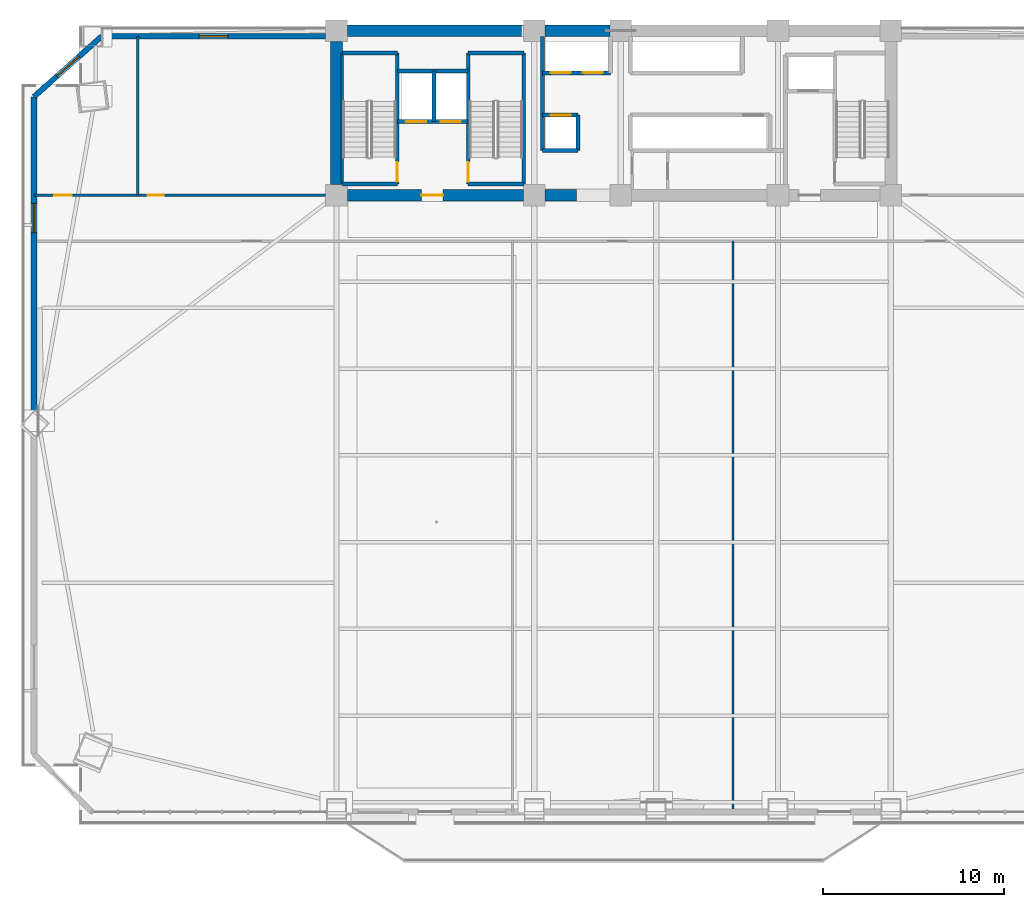
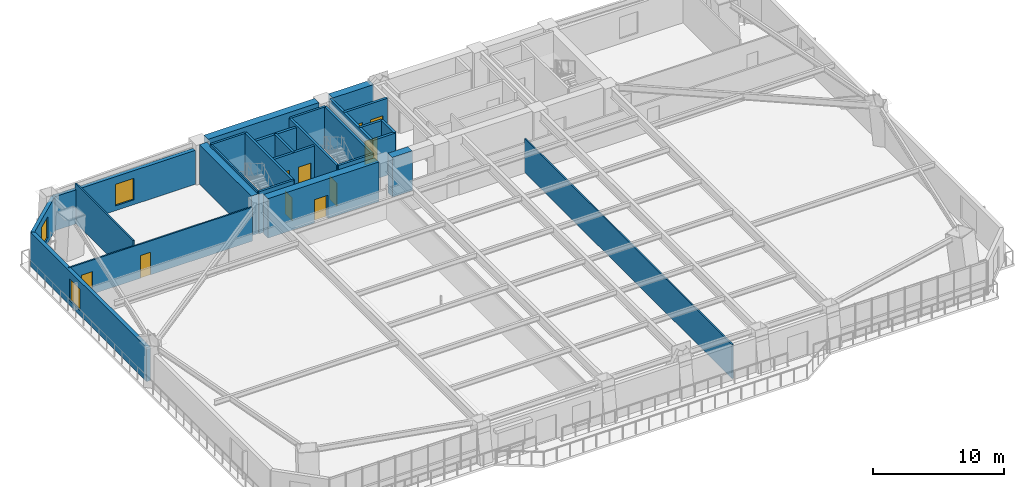
# One storey, part 9 of 17: 27 walls, 10 doors, 3 windows, 13 openings.
"""IFC4 building model written with IfcOpenShell, lengths in metres."""

from ifc_helpers import new_model, si_unit, direction, frame, frame_2d, origin, place, context, subcontext, project, spatial, rectangle, extrude, source, transform, mapped, material, layer, layer_set, type_object, element, fill, save


model = new_model("IFC4")

# Units and contexts
model_context = context("Model", 3, precision=1e-05, world=origin(), true_north=direction((0.0, 1.0)))
body_context = subcontext(model_context, "Body", "Model", "MODEL_VIEW")
ifc_project = project(units=[si_unit("LENGTHUNIT", "METRE"), si_unit("AREAUNIT", "SQUARE_METRE"), si_unit("VOLUMEUNIT", "CUBIC_METRE"), si_unit("PLANEANGLEUNIT", "RADIAN"), si_unit("MASSUNIT", "GRAM", prefix="KILO")], contexts=[model_context])

# Site, building, storey
site_placement = place(None, origin())
site = spatial("IfcSite", under=ifc_project, at=site_placement, CompositionType="ELEMENT")
building_placement = place(site_placement, origin())
building = spatial("IfcBuilding", under=site, at=building_placement, Name="Giltprow Tower", CompositionType="ELEMENT")
storey_placement = place(building_placement, frame((0.0, 0.0, 33.199951171875)))
storey = spatial("IfcBuildingStorey", under=building, at=storey_placement, Name="L08", CompositionType="ELEMENT", Elevation=33.199951171875)

# Wall, opening, window
ifc_material_1 = material(Name="Precast concrete C40", Category="concrete")
ifc_layer_1 = layer(ifc_material_1, 0.300048828125, Name="Precast concrete C40")
ifc_layer_set_1 = layer_set([ifc_layer_1], Name="Precast concrete C40")
wall_type_1 = type_object("IfcWallType", Name="EW-NOTCH-CHAMFER-300", PredefinedType="SOLIDWALL", material=ifc_layer_set_1)
wall_1_placement = place(storey_placement, frame((6.85009765625, 46.25, 0.0), z_axis=(0.0, 0.0, 1.0), x_axis=(-0.745751558502, -0.666224146209, 0.0)))
wall_1 = element("IfcWall", 1, at=wall_1_placement, inside=storey, type_object=wall_type_1, Name="L08 Corner Notch Wall NW", PredefinedType="SOLIDWALL", context=body_context, shape_type="SweptSolid", body=[
    extrude(rectangle(XDim=5.028564453125, YDim=0.300048828125, at=frame_2d((2.51416015625, 0.0))), origin(), (0.0, 0.0, 1.0), 3.16015625),
])
opening_1_placement = place(wall_1_placement, frame((1.714111328125, 0.0, 0.449951171875)))
opening_1 = element("IfcOpeningElement", 2, at=opening_1_placement, cuts=wall_1, Name="Opening WN17", PredefinedType="OPENING", context=body_context, shape_type="SweptSolid", body=[
    extrude(rectangle(XDim=1.60009765625, YDim=2.0, at=frame_2d((0.800048828125, 1.0))), frame((0.0, 0.159912109375, 0.0), z_axis=(0.0, -1.0, 0.0), x_axis=(1.0, 0.0, 0.0)), (0.0, 0.0, 1.0), 0.320068359375),
])
ifc_material_2 = material(Name="Insulated glass", Category="glass")
window_type = type_object("IfcWindowType", Name="WN-COR-1600x2000", PartitioningType="SINGLE_PANEL", PredefinedType="WINDOW", material=ifc_material_2)
shared_shape_1 = source(origin(), body_context, "Body", "SweptSolid", [
    extrude(rectangle(XDim=1.60009765625, YDim=2.0, at=frame_2d((0.800048828125, 1.0))), frame((0.0, 0.030029296875, 0.0), z_axis=(0.0, -1.0, 0.0), x_axis=(1.0, 0.0, 0.0)), (0.0, 0.0, 1.0), 0.06005859375),
])
window_1_placement = place(opening_1_placement, origin())
window_1 = element("IfcWindow", 3, at=window_1_placement, inside=storey, type_object=window_type, Name="L08 Corner Notch Window NW", OverallHeight=2.0, OverallWidth=1.60009765625, PartitioningType="SINGLE_PANEL", PredefinedType="WINDOW", context=body_context, shape_type="MappedRepresentation", body=[
    mapped(shared_shape_1, transform((0.0, 0.0, 0.0), x_axis=(1.0, 0.0, 0.0), y_axis=(0.0, 1.0, 0.0), z_axis=(0.0, 0.0, 1.0), scale=1.0)),
])
fill(opening_1, window_1)

ifc_layer_2 = layer(ifc_material_1, 0.320068359375, Name="Precast concrete C40")
ifc_layer_set_2 = layer_set([ifc_layer_2], Name="Precast concrete C40")
wall_type_2 = type_object("IfcWallType", Name="EW-TOW-STONE-320", PredefinedType="SOLIDWALL", material=ifc_layer_set_2)
wall_2_placement = place(storey_placement, frame((3.10009765625, 25.25, 0.0), z_axis=(0.0, 0.0, 1.0), x_axis=(0.0, 1.0, 0.0)))
wall_2 = element("IfcWall", 4, at=wall_2_placement, inside=storey, type_object=wall_type_2, Name="L08 W Wing Masonry Wall 2", PredefinedType="SOLIDWALL", context=body_context, shape_type="SweptSolid", body=[
    extrude(rectangle(XDim=17.64990234375, YDim=0.320068359375, at=frame_2d((8.824951171875, 0.0))), origin(), (0.0, 0.0, 1.0), 3.16015625),
])
opening_2_placement = place(wall_2_placement, frame((10.1298828125, 0.0, 0.449951171875)))
opening_2 = element("IfcOpeningElement", 5, at=opening_2_placement, cuts=wall_2, Name="Opening WN17", PredefinedType="OPENING", context=body_context, shape_type="SweptSolid", body=[
    extrude(rectangle(XDim=1.60009765625, YDim=2.0, at=frame_2d((0.800048828125, 1.0))), frame((0.0, 0.169921875, 0.0), z_axis=(0.0, -1.0, 0.0), x_axis=(1.0, 0.0, 0.0)), (0.0, 0.0, 1.0), 0.340087890625),
])
window_2_placement = place(opening_2_placement, origin())
window_2 = element("IfcWindow", 6, at=window_2_placement, inside=storey, type_object=window_type, Name="L08 W Wing Window 2-1", OverallHeight=2.0, OverallWidth=1.60009765625, PartitioningType="SINGLE_PANEL", PredefinedType="WINDOW", context=body_context, shape_type="MappedRepresentation", body=[
    mapped(shared_shape_1, transform((0.0, 0.0, 0.0), x_axis=(1.0, 0.0, 0.0), y_axis=(0.0, 1.0, 0.0), z_axis=(0.0, 0.0, 1.0), scale=1.0)),
])
fill(opening_2, window_2)

wall_3_placement = place(storey_placement, frame((6.85009765625, 46.25, 0.0), z_axis=(0.0, 0.0, 1.0), x_axis=(1.0, 0.0, 0.0)))
wall_3 = element("IfcWall", 7, at=wall_3_placement, inside=storey, type_object=wall_type_2, Name="L08 North-West Wing Wall", PredefinedType="SOLIDWALL", context=body_context, shape_type="SweptSolid", body=[
    extrude(rectangle(XDim=12.39990234375, YDim=0.320068359375, at=frame_2d((6.199951171875, 0.0))), origin(), (0.0, 0.0, 1.0), 3.16015625),
])
opening_3_placement = place(wall_3_placement, frame((5.39990234375, 0.0, 0.449951171875)))
opening_3 = element("IfcOpeningElement", 8, at=opening_3_placement, cuts=wall_3, Name="Opening WN17", PredefinedType="OPENING", context=body_context, shape_type="SweptSolid", body=[
    extrude(rectangle(XDim=1.60009765625, YDim=2.0, at=frame_2d((0.800048828125, 1.0))), frame((0.0, 0.169921875, 0.0), z_axis=(0.0, -1.0, 0.0), x_axis=(1.0, 0.0, 0.0)), (0.0, 0.0, 1.0), 0.340087890625),
])
window_3_placement = place(opening_3_placement, origin())
window_3 = element("IfcWindow", 9, at=window_3_placement, inside=storey, type_object=window_type, Name="L08 North-West Window", OverallHeight=2.0, OverallWidth=1.60009765625, PartitioningType="SINGLE_PANEL", PredefinedType="WINDOW", context=body_context, shape_type="MappedRepresentation", body=[
    mapped(shared_shape_1, transform((0.0, 0.0, 0.0), x_axis=(1.0, 0.0, 0.0), y_axis=(0.0, 1.0, 0.0), z_axis=(0.0, 0.0, 1.0), scale=1.0)),
])
fill(opening_3, window_3)

# Wall
ifc_material_3 = material(Name="Gypsum stud partition", Category="gypsum")
ifc_layer_3 = layer(ifc_material_3, 0.1201171875, Name="Gypsum stud partition")
ifc_layer_set_3 = layer_set([ifc_layer_3], Name="Gypsum stud partition")
wall_type_3 = type_object("IfcWallType", Name="IW-ROOM-120", PredefinedType="PARTITIONING", material=ifc_layer_set_3)
wall_4_placement = place(storey_placement, frame((41.800048828125, 3.300048828125, 0.0), z_axis=(0.0, 0.0, 1.0), x_axis=(0.0, 1.0, 0.0)))
element("IfcWall", 10, at=wall_4_placement, inside=storey, type_object=wall_type_3, Name="L08 Office Partition 2", PredefinedType="PARTITIONING", context=body_context, shape_type="SweptSolid", body=[
    extrude(rectangle(XDim=31.599853515625, YDim=0.1201171875, at=frame_2d((15.7998046875, 0.0))), origin(), (0.0, 0.0, 1.0), 3.1650390625),
])

# Wall, openings, doors
ifc_material_4 = material(Name="Concrete C40", Category="concrete")
ifc_layer_4 = layer(ifc_material_4, 0.219970703125, Name="Concrete C40")
ifc_layer_set_4 = layer_set([ifc_layer_4], Name="Concrete C40")
wall_type_4 = type_object("IfcWallType", Name="IW-SHAFT-220", PredefinedType="SOLIDWALL", material=ifc_layer_set_4)
wall_5_placement = place(storey_placement, frame((23.219970703125, 41.52001953125, 0.0), z_axis=(0.0, 0.0, 1.0), x_axis=(1.0, 0.0, 0.0)))
wall_5 = element("IfcWall", 11, at=wall_5_placement, inside=storey, type_object=wall_type_4, Name="L08 FFL1 and Service Lift Front Wall", PredefinedType="SOLIDWALL", context=body_context, shape_type="SweptSolid", body=[
    extrude(rectangle(XDim=3.919921875, YDim=0.219970703125, at=frame_2d((1.9599609375, 0.0))), origin(), (0.0, 0.0, 1.0), 3.679931640625),
])
opening_4_placement = place(wall_5_placement, frame((0.5, 0.0, 0.0)))
opening_4 = element("IfcOpeningElement", 12, at=opening_4_placement, cuts=wall_5, Name="Opening LD-11", PredefinedType="OPENING", context=body_context, shape_type="SweptSolid", body=[
    extrude(rectangle(XDim=1.10009765625, YDim=2.199951171875, at=frame_2d((0.550048828125, 1.10009765625))), frame((0.0, 0.119873046875, 0.0), z_axis=(0.0, -1.0, 0.0), x_axis=(1.0, 0.0, 0.0)), (0.0, 0.0, 1.0), 0.239990234375),
])
opening_5_placement = place(wall_5_placement, frame((2.39990234375, 0.0, 0.0)))
opening_5 = element("IfcOpeningElement", 13, at=opening_5_placement, cuts=wall_5, Name="Opening LD-11", PredefinedType="OPENING", context=body_context, shape_type="SweptSolid", body=[
    extrude(rectangle(XDim=1.10009765625, YDim=2.199951171875, at=frame_2d((0.550048828125, 1.10009765625))), frame((0.0, 0.119873046875, 0.0), z_axis=(0.0, -1.0, 0.0), x_axis=(1.0, 0.0, 0.0)), (0.0, 0.0, 1.0), 0.239990234375),
])
ifc_material_5 = material(Name="Stainless steel", Category="steel")
door_type_1 = type_object("IfcDoorType", Name="DR-LIFT-LD1100", OperationType="SLIDING_TO_LEFT", PredefinedType="DOOR", material=ifc_material_5)
shared_shape_2 = source(origin(), body_context, "Body", "SweptSolid", [
    extrude(rectangle(XDim=1.10009765625, YDim=2.199951171875, at=frame_2d((0.550048828125, 1.10009765625))), frame((0.0, 0.02490234375, 0.0), z_axis=(0.0, -1.0, 0.0), x_axis=(1.0, 0.0, 0.0)), (0.0, 0.0, 1.0), 0.050048828125),
])
door_1_placement = place(opening_4_placement, origin())
door_1 = element("IfcDoor", 14, at=door_1_placement, inside=storey, type_object=door_type_1, Name="L08 FFL1 Landing Door", OperationType="SLIDING_TO_LEFT", OverallHeight=2.199951171875, OverallWidth=1.10009765625, PredefinedType="DOOR", context=body_context, shape_type="MappedRepresentation", body=[
    mapped(shared_shape_2, transform((0.0, 0.0, 0.0), x_axis=(1.0, 0.0, 0.0), y_axis=(0.0, 1.0, 0.0), z_axis=(0.0, 0.0, 1.0), scale=1.0)),
])
fill(opening_4, door_1)
door_2_placement = place(opening_5_placement, origin())
door_2 = element("IfcDoor", 15, at=door_2_placement, inside=storey, type_object=door_type_1, Name="L08 SVL1 Landing Door", OperationType="SLIDING_TO_LEFT", OverallHeight=2.199951171875, OverallWidth=1.10009765625, PredefinedType="DOOR", context=body_context, shape_type="MappedRepresentation", body=[
    mapped(shared_shape_2, transform((0.0, 0.0, 0.0), x_axis=(1.0, 0.0, 0.0), y_axis=(0.0, 1.0, 0.0), z_axis=(0.0, 0.0, 1.0), scale=1.0)),
])
fill(opening_5, door_2)

# Walls
wall_6_placement = place(storey_placement, frame((25.260009765625, 41.52001953125, 0.0), z_axis=(0.0, 0.0, 1.0), x_axis=(0.0, 1.0, 0.0)))
element("IfcWall", 16, at=wall_6_placement, inside=storey, type_object=wall_type_4, Name="L08 FFL1-SVL1 Shaft Divider", PredefinedType="SOLIDWALL", context=body_context, shape_type="SweptSolid", body=[
    extrude(rectangle(XDim=2.800048828125, YDim=0.219970703125, at=frame_2d((1.39990234375, 0.0))), origin(), (0.0, 0.0, 1.0), 3.679931640625),
])
wall_7_placement = place(storey_placement, frame((23.219970703125, 44.320068359375, 0.0), z_axis=(0.0, 0.0, 1.0), x_axis=(1.0, 0.0, 0.0)))
element("IfcWall", 17, at=wall_7_placement, inside=storey, type_object=wall_type_4, Name="L08 FFL1-SVL1 Back Shaft Wall", PredefinedType="SOLIDWALL", context=body_context, shape_type="SweptSolid", body=[
    extrude(rectangle(XDim=3.919921875, YDim=0.219970703125, at=frame_2d((1.9599609375, 0.0))), origin(), (0.0, 0.0, 1.0), 3.679931640625),
])

# Wall, openings, doors
wall_8_placement = place(storey_placement, frame((31.25, 44.219970703125, 0.0), z_axis=(0.0, 0.0, 1.0), x_axis=(1.0, 0.0, 0.0)))
wall_8 = element("IfcWall", 18, at=wall_8_placement, inside=storey, type_object=wall_type_4, Name="L08 North West Lift Shaft Front Wall", PredefinedType="SOLIDWALL", context=body_context, shape_type="SweptSolid", body=[
    extrude(rectangle(XDim=3.77001953125, YDim=0.219970703125, at=frame_2d((1.885009765625, 0.0))), origin(), (0.0, 0.0, 1.0), 3.679931640625),
])
opening_6_placement = place(wall_8_placement, frame((0.4599609375, 0.0, 0.0)))
opening_6 = element("IfcOpeningElement", 19, at=opening_6_placement, cuts=wall_8, Name="Opening LD-11", PredefinedType="OPENING", context=body_context, shape_type="SweptSolid", body=[
    extrude(rectangle(XDim=1.10009765625, YDim=2.199951171875, at=frame_2d((0.550048828125, 1.10009765625))), frame((0.0, 0.119873046875, 0.0), z_axis=(0.0, -1.0, 0.0), x_axis=(1.0, 0.0, 0.0)), (0.0, 0.0, 1.0), 0.239990234375),
])
opening_7_placement = place(wall_8_placement, frame((2.239990234375, 0.0, 0.0)))
opening_7 = element("IfcOpeningElement", 20, at=opening_7_placement, cuts=wall_8, Name="Opening LD-11", PredefinedType="OPENING", context=body_context, shape_type="SweptSolid", body=[
    extrude(rectangle(XDim=1.10009765625, YDim=2.199951171875, at=frame_2d((0.550048828125, 1.10009765625))), frame((0.0, 0.119873046875, 0.0), z_axis=(0.0, -1.0, 0.0), x_axis=(1.0, 0.0, 0.0)), (0.0, 0.0, 1.0), 0.239990234375),
])
door_3_placement = place(opening_6_placement, origin())
door_3 = element("IfcDoor", 21, at=door_3_placement, inside=storey, type_object=door_type_1, Name="L08 PL-L1 Landing Door", OperationType="SLIDING_TO_LEFT", OverallHeight=2.199951171875, OverallWidth=1.10009765625, PredefinedType="DOOR", context=body_context, shape_type="MappedRepresentation", body=[
    mapped(shared_shape_2, transform((0.0, 0.0, 0.0), x_axis=(1.0, 0.0, 0.0), y_axis=(0.0, 1.0, 0.0), z_axis=(0.0, 0.0, 1.0), scale=1.0)),
])
fill(opening_6, door_3)
door_4_placement = place(opening_7_placement, origin())
door_4 = element("IfcDoor", 22, at=door_4_placement, inside=storey, type_object=door_type_1, Name="L08 PL-L2 Landing Door", OperationType="SLIDING_TO_LEFT", OverallHeight=2.199951171875, OverallWidth=1.10009765625, PredefinedType="DOOR", context=body_context, shape_type="MappedRepresentation", body=[
    mapped(shared_shape_2, transform((0.0, 0.0, 0.0), x_axis=(1.0, 0.0, 0.0), y_axis=(0.0, 1.0, 0.0), z_axis=(0.0, 0.0, 1.0), scale=1.0)),
])
fill(opening_7, door_4)

# Wall, opening, door
wall_9_placement = place(storey_placement, frame((31.25, 41.8798828125, 0.0), z_axis=(0.0, 0.0, 1.0), x_axis=(1.0, 0.0, 0.0)))
wall_9 = element("IfcWall", 23, at=wall_9_placement, inside=storey, type_object=wall_type_4, Name="L08 South West Lift Shaft Front Wall", PredefinedType="SOLIDWALL", context=body_context, shape_type="SweptSolid", body=[
    extrude(rectangle(XDim=1.969970703125, YDim=0.219970703125, at=frame_2d((0.98486328125, 0.0))), origin(), (0.0, 0.0, 1.0), 3.679931640625),
])
opening_8_placement = place(wall_9_placement, frame((0.4599609375, 0.0, 0.0)))
opening_8 = element("IfcOpeningElement", 24, at=opening_8_placement, cuts=wall_9, Name="Opening LD-11", PredefinedType="OPENING", context=body_context, shape_type="SweptSolid", body=[
    extrude(rectangle(XDim=1.10009765625, YDim=2.199951171875, at=frame_2d((0.550048828125, 1.10009765625))), frame((0.0, 0.119873046875, 0.0), z_axis=(0.0, -1.0, 0.0), x_axis=(1.0, 0.0, 0.0)), (0.0, 0.0, 1.0), 0.239990234375),
])
door_5_placement = place(opening_8_placement, origin())
door_5 = element("IfcDoor", 25, at=door_5_placement, inside=storey, type_object=door_type_1, Name="L08 PL-L3 Landing Door", OperationType="SLIDING_TO_LEFT", OverallHeight=2.199951171875, OverallWidth=1.10009765625, PredefinedType="DOOR", context=body_context, shape_type="MappedRepresentation", body=[
    mapped(shared_shape_2, transform((0.0, 0.0, 0.0), x_axis=(1.0, 0.0, 0.0), y_axis=(0.0, 1.0, 0.0), z_axis=(0.0, 0.0, 1.0), scale=1.0)),
])
fill(opening_8, door_5)

# Walls
wall_10_placement = place(storey_placement, frame((31.25, 39.919921875, 0.0), z_axis=(0.0, 0.0, 1.0), x_axis=(1.0, 0.0, 0.0)))
element("IfcWall", 26, at=wall_10_placement, inside=storey, type_object=wall_type_4, Name="L08 Low-Rise South Lift Back Wall", PredefinedType="SOLIDWALL", context=body_context, shape_type="SweptSolid", body=[
    extrude(rectangle(XDim=1.969970703125, YDim=0.219970703125, at=frame_2d((0.98486328125, 0.0))), origin(), (0.0, 0.0, 1.0), 3.679931640625),
])
wall_11_placement = place(storey_placement, frame((33.219970703125, 39.919921875, 0.0), z_axis=(0.0, 0.0, 1.0), x_axis=(0.0, 1.0, 0.0)))
element("IfcWall", 27, at=wall_11_placement, inside=storey, type_object=wall_type_4, Name="L08 Low-Rise South Lift East Closure", PredefinedType="SOLIDWALL", context=body_context, shape_type="SweptSolid", body=[
    extrude(rectangle(XDim=1.9599609375, YDim=0.219970703125, at=frame_2d((0.97998046875, 0.0))), origin(), (0.0, 0.0, 1.0), 3.679931640625),
])
wall_12_placement = place(storey_placement, frame((31.25, 39.919921875, 0.0), z_axis=(0.0, 0.0, 1.0), x_axis=(0.0, 1.0, 0.0)))
element("IfcWall", 28, at=wall_12_placement, inside=storey, type_object=wall_type_4, Name="L08 Lift Bank West Closure", PredefinedType="SOLIDWALL", context=body_context, shape_type="SweptSolid", body=[
    extrude(rectangle(XDim=6.3251953125, YDim=0.219970703125, at=frame_2d((3.16259765625, 0.0))), origin(), (0.0, 0.0, 1.0), 3.679931640625),
])
ifc_material_6 = material(Name="Concrete C45", Category="concrete")
ifc_layer_5 = layer(ifc_material_6, 0.139892578125, Name="Concrete C45")
ifc_layer_set_5 = layer_set([ifc_layer_5], Name="Concrete C45")
wall_type_5 = type_object("IfcWallType", Name="IW-STAIR-140", PredefinedType="SOLIDWALL", material=ifc_layer_set_5)
wall_13_placement = place(storey_placement, frame((20.169921875, 38.070068359375, 0.0), z_axis=(0.0, 0.0, 1.0), x_axis=(0.0, 1.0, 0.0)))
element("IfcWall", 29, at=wall_13_placement, inside=storey, type_object=wall_type_5, Name="L08 Stair ST-1 West Bearing Wall", PredefinedType="SOLIDWALL", context=body_context, shape_type="SweptSolid", body=[
    extrude(rectangle(XDim=7.25, YDim=0.139892578125, at=frame_2d((3.625, 0.0))), origin(), (0.0, 0.0, 1.0), 3.900146484375),
])

# Wall, opening, door
ifc_layer_6 = layer(ifc_material_4, 0.199951171875, Name="Concrete C40")
ifc_layer_set_6 = layer_set([ifc_layer_6], Name="Concrete C40")
wall_type_6 = type_object("IfcWallType", Name="IW-STAIR-200", PredefinedType="SOLIDWALL", material=ifc_layer_set_6)
wall_14_placement = place(storey_placement, frame((23.219970703125, 38.070068359375, 0.0), z_axis=(0.0, 0.0, 1.0), x_axis=(0.0, 1.0, 0.0)))
wall_14 = element("IfcWall", 30, at=wall_14_placement, inside=storey, type_object=wall_type_6, Name="L08 Stair ST-1 East Bearing Wall", PredefinedType="SOLIDWALL", context=body_context, shape_type="SweptSolid", body=[
    extrude(rectangle(XDim=7.25, YDim=0.199951171875, at=frame_2d((3.625, 0.0))), origin(), (0.0, 0.0, 1.0), 3.900146484375),
])
opening_9_placement = place(wall_14_placement, frame((0.110107421875, 0.0, 0.0)))
opening_9 = element("IfcOpeningElement", 31, at=opening_9_placement, cuts=wall_14, Name="Opening ID33", PredefinedType="OPENING", context=body_context, shape_type="SweptSolid", body=[
    extrude(rectangle(XDim=1.10009765625, YDim=2.14990234375, at=frame_2d((0.550048828125, 1.074951171875))), frame((0.0, 0.10986328125, 0.0), z_axis=(0.0, -1.0, 0.0), x_axis=(1.0, 0.0, 0.0)), (0.0, 0.0, 1.0), 0.219970703125),
])
ifc_material_7 = material(Name="Steel fire leaf", Category="steel")
door_type_2 = type_object("IfcDoorType", Name="DR-STAIR-1100", OperationType="SINGLE_SWING_LEFT", PredefinedType="DOOR", material=ifc_material_7)
shared_shape_3 = source(origin(), body_context, "Body", "SweptSolid", [
    extrude(rectangle(XDim=1.10009765625, YDim=2.14990234375, at=frame_2d((0.550048828125, 1.074951171875))), frame((0.0, 0.02490234375, 0.0), z_axis=(0.0, -1.0, 0.0), x_axis=(1.0, 0.0, 0.0)), (0.0, 0.0, 1.0), 0.050048828125),
])
door_6_placement = place(opening_9_placement, origin())
door_6 = element("IfcDoor", 32, at=door_6_placement, inside=storey, type_object=door_type_2, Name="L08 Stair ST-1 Fire Door", OperationType="SINGLE_SWING_LEFT", OverallHeight=2.14990234375, OverallWidth=1.10009765625, PredefinedType="DOOR", context=body_context, shape_type="MappedRepresentation", body=[
    mapped(shared_shape_3, transform((0.0, 0.0, 0.0), x_axis=(1.0, 0.0, 0.0), y_axis=(0.0, 1.0, 0.0), z_axis=(0.0, 0.0, 1.0), scale=1.0)),
])
fill(opening_9, door_6)

# Walls
for number, where, z_axis, x_axis, name in (
    (33, (20.169921875, 45.320068359375, 0.0), (0.0, 0.0, 1.0), (1.0, 0.0, 0.0), "L08 Stair ST-1 North Bearing Wall"),
    (34, (20.169921875, 38.070068359375, 0.0), (0.0, 0.0, 1.0), (1.0, 0.0, 0.0), "L08 Stair ST-1 South Bearing Wall"),
):
    element("IfcWall", number, at=place(storey_placement, frame(where, z_axis=z_axis, x_axis=x_axis)), inside=storey, type_object=wall_type_6, Name=name, PredefinedType="SOLIDWALL", context=body_context, shape_type="SweptSolid", body=[
        extrude(rectangle(XDim=3.050048828125, YDim=0.199951171875, at=frame_2d((1.52490234375, 0.0))), origin(), (0.0, 0.0, 1.0), 3.900146484375),
    ])

# Wall, opening, door
wall_15_placement = place(storey_placement, frame((27.139892578125, 38.070068359375, 0.0), z_axis=(0.0, 0.0, 1.0), x_axis=(0.0, 1.0, 0.0)))
wall_15 = element("IfcWall", 35, at=wall_15_placement, inside=storey, type_object=wall_type_6, Name="L08 Stair ST-2 West Bearing Wall", PredefinedType="SOLIDWALL", context=body_context, shape_type="SweptSolid", body=[
    extrude(rectangle(XDim=7.25, YDim=0.199951171875, at=frame_2d((3.625, 0.0))), origin(), (0.0, 0.0, 1.0), 3.900146484375),
])
opening_10_placement = place(wall_15_placement, frame((0.110107421875, 0.0, 0.0)))
opening_10 = element("IfcOpeningElement", 36, at=opening_10_placement, cuts=wall_15, Name="Opening ID33", PredefinedType="OPENING", context=body_context, shape_type="SweptSolid", body=[
    extrude(rectangle(XDim=1.10009765625, YDim=2.14990234375, at=frame_2d((0.550048828125, 1.074951171875))), frame((0.0, 0.10986328125, 0.0), z_axis=(0.0, -1.0, 0.0), x_axis=(1.0, 0.0, 0.0)), (0.0, 0.0, 1.0), 0.219970703125),
])
door_7_placement = place(opening_10_placement, origin())
door_7 = element("IfcDoor", 37, at=door_7_placement, inside=storey, type_object=door_type_2, Name="L08 Stair ST-2 Fire Door", OperationType="SINGLE_SWING_RIGHT", OverallHeight=2.14990234375, OverallWidth=1.10009765625, PredefinedType="DOOR", context=body_context, shape_type="MappedRepresentation", body=[
    mapped(shared_shape_3, transform((0.0, 0.0, 0.0), x_axis=(1.0, 0.0, 0.0), y_axis=(0.0, 1.0, 0.0), z_axis=(0.0, 0.0, 1.0), scale=1.0)),
])
fill(opening_10, door_7)

# Walls
wall_16_placement = place(storey_placement, frame((30.219970703125, 38.070068359375, 0.0), z_axis=(0.0, 0.0, 1.0), x_axis=(0.0, 1.0, 0.0)))
element("IfcWall", 38, at=wall_16_placement, inside=storey, type_object=wall_type_6, Name="L08 Stair ST-2 East Bearing Wall", PredefinedType="SOLIDWALL", context=body_context, shape_type="SweptSolid", body=[
    extrude(rectangle(XDim=7.25, YDim=0.199951171875, at=frame_2d((3.625, 0.0))), origin(), (0.0, 0.0, 1.0), 3.900146484375),
])
for number, where, z_axis, x_axis, name in (
    (39, (27.139892578125, 45.320068359375, 0.0), (0.0, 0.0, 1.0), (1.0, 0.0, 0.0), "L08 Stair ST-2 North Bearing Wall"),
    (40, (27.139892578125, 38.070068359375, 0.0), (0.0, 0.0, 1.0), (1.0, 0.0, 0.0), "L08 Stair ST-2 South Bearing Wall"),
):
    element("IfcWall", number, at=place(storey_placement, frame(where, z_axis=z_axis, x_axis=x_axis)), inside=storey, type_object=wall_type_6, Name=name, PredefinedType="SOLIDWALL", context=body_context, shape_type="SweptSolid", body=[
        extrude(rectangle(XDim=3.080078125, YDim=0.199951171875, at=frame_2d((1.5400390625, 0.0))), origin(), (0.0, 0.0, 1.0), 3.900146484375),
    ])

# Wall, openings, doors
ifc_material_8 = material(Name="Concrete C30", Category="concrete")
ifc_layer_7 = layer(ifc_material_8, 0.1298828125, Name="Concrete C30")
ifc_layer_set_7 = layer_set([ifc_layer_7], Name="Concrete C30")
wall_type_7 = type_object("IfcWallType", Name="IW-WET-130", PredefinedType="PARTITIONING", material=ifc_layer_set_7)
wall_17_placement = place(storey_placement, frame((3.10009765625, 37.449951171875, 0.0), z_axis=(0.0, 0.0, 1.0), x_axis=(1.0, 0.0, 0.0)))
wall_17 = element("IfcWall", 41, at=wall_17_placement, inside=storey, type_object=wall_type_7, Name="L08 NW Wing South Wall", PredefinedType="PARTITIONING", context=body_context, shape_type="SweptSolid", body=[
    extrude(rectangle(XDim=16.14990234375, YDim=0.1298828125, at=frame_2d((8.074951171875, 0.0))), origin(), (0.0, 0.0, 1.0), 3.1650390625),
])
opening_11_placement = place(wall_17_placement, frame((1.135009765625, 0.0, 0.0)))
opening_11 = element("IfcOpeningElement", 42, at=opening_11_placement, cuts=wall_17, Name="Opening ID11", PredefinedType="OPENING", context=body_context, shape_type="SweptSolid", body=[
    extrude(rectangle(XDim=0.949951171875, YDim=2.10009765625, at=frame_2d((0.47509765625, 1.050048828125))), frame((0.0, 0.074951171875, 0.0), z_axis=(0.0, -1.0, 0.0), x_axis=(1.0, 0.0, 0.0)), (0.0, 0.0, 1.0), 0.14990234375),
])
opening_12_placement = place(wall_17_placement, frame((6.2939453125, 0.0, 0.0)))
opening_12 = element("IfcOpeningElement", 43, at=opening_12_placement, cuts=wall_17, Name="Opening ID15", PredefinedType="OPENING", context=body_context, shape_type="SweptSolid", body=[
    extrude(rectangle(XDim=0.89990234375, YDim=2.10009765625, at=frame_2d((0.449951171875, 1.050048828125))), frame((0.0, 0.074951171875, 0.0), z_axis=(0.0, -1.0, 0.0), x_axis=(1.0, 0.0, 0.0)), (0.0, 0.0, 1.0), 0.14990234375),
])
ifc_material_9 = material(Name="Engineered timber", Category="wood")
door_type_3 = type_object("IfcDoorType", Name="DR-WC-900", OperationType="SINGLE_SWING_LEFT", PredefinedType="DOOR", material=ifc_material_9)
shared_shape_4 = source(origin(), body_context, "Body", "SweptSolid", [
    extrude(rectangle(XDim=0.89990234375, YDim=2.10009765625, at=frame_2d((0.449951171875, 1.050048828125))), frame((0.0, 0.02490234375, 0.0), z_axis=(0.0, -1.0, 0.0), x_axis=(1.0, 0.0, 0.0)), (0.0, 0.0, 1.0), 0.050048828125),
])
door_8_placement = place(opening_12_placement, origin())
door_8 = element("IfcDoor", 44, at=door_8_placement, inside=storey, type_object=door_type_3, Name="L08 NW Washroom Door", OperationType="SINGLE_SWING_RIGHT", OverallHeight=2.10009765625, OverallWidth=0.89990234375, PredefinedType="DOOR", context=body_context, shape_type="MappedRepresentation", body=[
    mapped(shared_shape_4, transform((0.0, 0.0, 0.0), x_axis=(1.0, 0.0, 0.0), y_axis=(0.0, 1.0, 0.0), z_axis=(0.0, 0.0, 1.0), scale=1.0)),
])
fill(opening_12, door_8)
door_type_4 = type_object("IfcDoorType", Name="DR-ROOM-950", OperationType="SINGLE_SWING_RIGHT", PredefinedType="DOOR", material=ifc_material_9)
shared_shape_5 = source(origin(), body_context, "Body", "SweptSolid", [
    extrude(rectangle(XDim=0.949951171875, YDim=2.10009765625, at=frame_2d((0.47509765625, 1.050048828125))), frame((0.0, 0.02490234375, 0.0), z_axis=(0.0, -1.0, 0.0), x_axis=(1.0, 0.0, 0.0)), (0.0, 0.0, 1.0), 0.050048828125),
])
door_9_placement = place(opening_11_placement, origin())
door_9 = element("IfcDoor", 45, at=door_9_placement, inside=storey, type_object=door_type_4, Name="L08 West Tenant Office West Door", OperationType="SINGLE_SWING_LEFT", OverallHeight=2.10009765625, OverallWidth=0.949951171875, PredefinedType="DOOR", context=body_context, shape_type="MappedRepresentation", body=[
    mapped(shared_shape_5, transform((0.0, 0.0, 0.0), x_axis=(1.0, 0.0, 0.0), y_axis=(0.0, 1.0, 0.0), z_axis=(0.0, 0.0, 1.0), scale=1.0)),
])
fill(opening_11, door_9)

# Walls
wall_18_placement = place(storey_placement, frame((8.843994140625, 37.449951171875, 0.0), z_axis=(0.0, 0.0, 1.0), x_axis=(0.0, 1.0, 0.0)))
element("IfcWall", 46, at=wall_18_placement, inside=storey, type_object=wall_type_7, Name="L08 NW Wing Divider", PredefinedType="PARTITIONING", context=body_context, shape_type="SweptSolid", body=[
    extrude(rectangle(XDim=8.800048828125, YDim=0.1298828125, at=frame_2d((4.39990234375, 0.0))), origin(), (0.0, 0.0, 1.0), 3.679931640625),
])
ifc_material_10 = material(Name="Concrete C60", Category="concrete")
ifc_layer_8 = layer(ifc_material_10, 0.64990234375, Name="Concrete C60")
ifc_layer_set_8 = layer_set([ifc_layer_8], Name="Concrete C60")
wall_type_8 = type_object("IfcWallType", Name="SW-EXT-650-C60", PredefinedType="SHEAR", material=ifc_layer_set_8)
wall_19_placement = place(storey_placement, frame((20.449951171875, 46.550048828125, 0.0), z_axis=(0.0, 0.0, 1.0), x_axis=(1.0, 0.0, 0.0)))
element("IfcWall", 47, at=wall_19_placement, inside=storey, type_object=wall_type_8, Name="L08 North Rear Core Shear Wall 1", PredefinedType="SHEAR", context=body_context, shape_type="SweptSolid", body=[
    extrude(rectangle(XDim=9.75, YDim=0.64990234375, at=frame_2d((4.875, 0.0))), origin(), (0.0, 0.0, 1.0), 3.679931640625),
])
wall_20_placement = place(storey_placement, frame((31.39990234375, 46.550048828125, 0.0), z_axis=(0.0, 0.0, 1.0), x_axis=(1.0, 0.0, 0.0)))
element("IfcWall", 48, at=wall_20_placement, inside=storey, type_object=wall_type_8, Name="L08 North Rear Core Shear Wall 2", PredefinedType="SHEAR", context=body_context, shape_type="SweptSolid", body=[
    extrude(rectangle(XDim=3.60009765625, YDim=0.64990234375, at=frame_2d((1.800048828125, 0.0))), origin(), (0.0, 0.0, 1.0), 3.679931640625),
])

# Wall, opening, door
ifc_layer_9 = layer(ifc_material_10, 0.64990234375, Name="Concrete C60")
ifc_layer_set_9 = layer_set([ifc_layer_9], Name="Concrete C60")
wall_type_9 = type_object("IfcWallType", Name="SW-INT-650-C60", PredefinedType="SHEAR", material=ifc_layer_set_9)
wall_21_placement = place(storey_placement, frame((20.449951171875, 37.449951171875, 0.0), z_axis=(0.0, 0.0, 1.0), x_axis=(1.0, 0.0, 0.0)))
wall_21 = element("IfcWall", 49, at=wall_21_placement, inside=storey, type_object=wall_type_9, Name="L08 South Rear Core Shear Wall West", PredefinedType="SHEAR", context=body_context, shape_type="SweptSolid", body=[
    extrude(rectangle(XDim=9.75, YDim=0.64990234375, at=frame_2d((4.875, 0.0))), origin(), (0.0, 0.0, 1.0), 3.679931640625),
])
opening_13_placement = place(wall_21_placement, frame((4.10009765625, 0.0, 0.0)))
opening_13 = element("IfcOpeningElement", 50, at=opening_13_placement, cuts=wall_21, Name="Opening ID19", PredefinedType="OPENING", context=body_context, shape_type="SweptSolid", body=[
    extrude(rectangle(XDim=1.199951171875, YDim=2.14990234375, at=frame_2d((0.60009765625, 1.074951171875))), frame((0.0, 0.3349609375, 0.0), z_axis=(0.0, -1.0, 0.0), x_axis=(1.0, 0.0, 0.0)), (0.0, 0.0, 1.0), 0.669921875),
])
door_type_5 = type_object("IfcDoorType", Name="DR-FFLOBBY-1200", OperationType="SINGLE_SWING_RIGHT", PredefinedType="DOOR", material=ifc_material_7)
shared_shape_6 = source(origin(), body_context, "Body", "SweptSolid", [
    extrude(rectangle(XDim=1.199951171875, YDim=2.14990234375, at=frame_2d((0.60009765625, 1.074951171875))), frame((0.0, 0.02490234375, 0.0), z_axis=(0.0, -1.0, 0.0), x_axis=(1.0, 0.0, 0.0)), (0.0, 0.0, 1.0), 0.050048828125),
])
door_10_placement = place(opening_13_placement, origin())
door_10 = element("IfcDoor", 51, at=door_10_placement, inside=storey, type_object=door_type_5, Name="L08 West Firefighting Lobby Entry Door", OperationType="SINGLE_SWING_RIGHT", OverallHeight=2.14990234375, OverallWidth=1.199951171875, PredefinedType="DOOR", context=body_context, shape_type="MappedRepresentation", body=[
    mapped(shared_shape_6, transform((0.0, 0.0, 0.0), x_axis=(1.0, 0.0, 0.0), y_axis=(0.0, 1.0, 0.0), z_axis=(0.0, 0.0, 1.0), scale=1.0)),
])
fill(opening_13, door_10)

# Walls
wall_22_placement = place(storey_placement, frame((31.39990234375, 37.449951171875, 0.0), z_axis=(0.0, 0.0, 1.0), x_axis=(1.0, 0.0, 0.0)))
element("IfcWall", 52, at=wall_22_placement, inside=storey, type_object=wall_type_9, Name="L08 South Rear Core Shear Wall Mid-West", PredefinedType="SHEAR", context=body_context, shape_type="SweptSolid", body=[
    extrude(rectangle(XDim=1.75, YDim=0.64990234375, at=frame_2d((0.875, 0.0))), origin(), (0.0, 0.0, 1.0), 3.679931640625),
])
wall_23_placement = place(storey_placement, frame((19.85009765625, 38.050048828125, 0.0), z_axis=(0.0, 0.0, 1.0), x_axis=(0.0, 1.0, 0.0)))
element("IfcWall", 53, at=wall_23_placement, inside=storey, type_object=wall_type_9, Name="L08 W Rear Core Shear Wall", PredefinedType="SHEAR", context=body_context, shape_type="SweptSolid", body=[
    extrude(rectangle(XDim=7.89990234375, YDim=0.64990234375, at=frame_2d((3.949951171875, 0.0))), origin(), (0.0, 0.0, 1.0), 3.679931640625),
])

save(model, "model.ifc")
